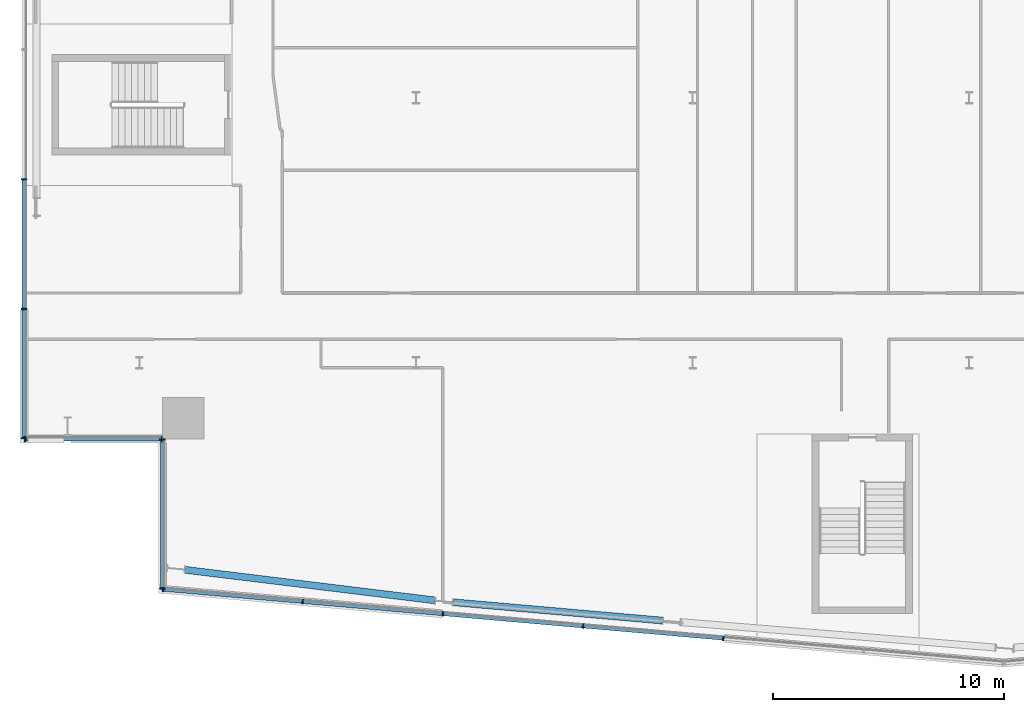
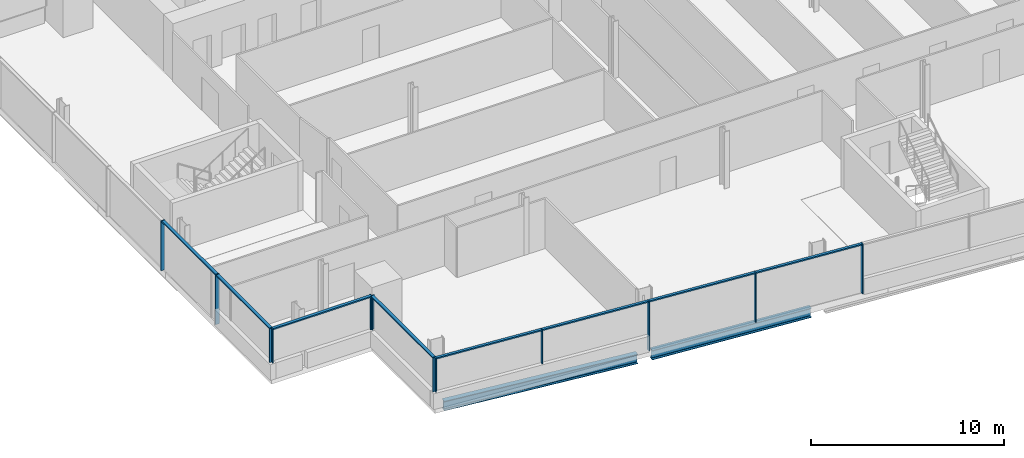
# One storey, part 5 of 25: 20 members, 2 beams, 4 elements without a shape of their own.
"""IFC4 building model written with IfcOpenShell, lengths in metres."""

from ifc_helpers import new_model, si_unit, direction, frame, origin, origin_2d, place, context, subcontext, project, spatial, rectangle, i_section, extrude, material, material_profile, profile_set, type_object, element, aggregate, save


model = new_model("IFC4")

# Units and contexts
model_context = context("Model", 3, precision=1e-05, world=origin(), true_north=direction((0.0, 1.0)))
body_context = subcontext(model_context, "Body", "Model", "MODEL_VIEW")
ifc_project = project(units=[si_unit("LENGTHUNIT", "METRE"), si_unit("AREAUNIT", "SQUARE_METRE"), si_unit("VOLUMEUNIT", "CUBIC_METRE"), si_unit("PLANEANGLEUNIT", "RADIAN"), si_unit("MASSUNIT", "GRAM", prefix="KILO")], contexts=[model_context])

# Site, building, storey
site_placement = place(None, origin())
site = spatial("IfcSite", under=ifc_project, at=site_placement, CompositionType="ELEMENT")
building_placement = place(site_placement, origin())
building = spatial("IfcBuilding", under=site, at=building_placement, Name="Wharfspan Tower", CompositionType="ELEMENT")
storey_placement = place(building_placement, frame((0.0, 0.0, 143.5)))
storey = spatial("IfcBuildingStorey", under=building, at=storey_placement, Name="L34", CompositionType="ELEMENT", Elevation=143.5)

# Beams
ifc_material_1 = material(Name="Steel S355J2", Category="steel")
ifc_material_profile_1 = material_profile(ifc_material_1, i_section(OverallWidth=0.300049, OverallDepth=0.600098, WebThickness=0.015381, FlangeThickness=0.030029, FilletRadius=0.0271, at=origin_2d()))
ifc_profile_set_1 = profile_set([ifc_material_profile_1], Name="Steel S355J2")
beam_type = type_object("IfcBeamType", Name="Edge beam HEB 600", PredefinedType="SPANDREL", material=ifc_profile_set_1)
beam_1_placement = place(storey_placement, frame((13.990967, 2.520508, -0.699951), z_axis=(0.992611, -0.121342, 0.0), x_axis=(0.121342, 0.992611, 0.0)))
element("IfcBeam", 1, at=beam_1_placement, inside=storey, type_object=beam_type, Name="Edge beam S1 L34 PS1.1 to PS1.2", PredefinedType="SPANDREL", context=body_context, shape_type="SweptSolid", body=[
    extrude(i_section(OverallWidth=0.300049, OverallDepth=0.600098, WebThickness=0.015381, FlangeThickness=0.030029, FilletRadius=0.0271, at=origin_2d()), origin(), (0.0, 0.0, 1.0), 10.903076),
])
beam_2_placement = place(storey_placement, frame((25.615234, 1.113525, -0.699951), z_axis=(0.996195, -0.087151, 0.0), x_axis=(0.087151, 0.996195, 0.0)))
element("IfcBeam", 2, at=beam_2_placement, inside=storey, type_object=beam_type, Name="Edge beam S1 L34 PS1.2 to PS1.3", PredefinedType="SPANDREL", context=body_context, shape_type="SweptSolid", body=[
    extrude(i_section(OverallWidth=0.300049, OverallDepth=0.600098, WebThickness=0.015381, FlangeThickness=0.030029, FilletRadius=0.0271, at=origin_2d()), origin(), (0.0, 0.0, 1.0), 9.107178),
])

# Curtain wall, members
ifc_material_2 = material(Name="Aluminium 6063-T6", Category="aluminium")
curtain_wall_type_1 = type_object("IfcCurtainWallType", Name="CURTAIN WALL FACETED FRONT", PredefinedType="NOTDEFINED", material=ifc_material_2)
curtain_wall_1_placement = place(storey_placement, origin())
curtain_wall_1 = element("IfcCurtainWall", 3, at=curtain_wall_1_placement, inside=storey, type_object=curtain_wall_type_1, Name="Curtain wall S1", PredefinedType="NOTDEFINED")
ifc_material_profile_2 = material_profile(ifc_material_2, rectangle(XDim=0.199951, YDim=0.060059, at=origin_2d()))
ifc_profile_set_2 = profile_set([ifc_material_profile_2], Name="Aluminium 6063-T6")
member_type_1 = type_object("IfcMemberType", Name="MULLION FACETED FRONT 60x200", PredefinedType="MULLION", material=ifc_profile_set_2)
member_1_placement = place(storey_placement, frame((13.029785, 1.672363, 1.0), z_axis=(0.0, 0.0, 1.0), x_axis=(0.087156, 0.996198, 0.0)))
member_1 = element("IfcMember", 4, at=member_1_placement, type_object=member_type_1, Name="Curtain wall S1 mullion 1", PredefinedType="MULLION", context=body_context, shape_type="SweptSolid", body=[
    extrude(rectangle(XDim=0.199951, YDim=0.060059, at=origin_2d()), origin(), (0.0, 0.0, 1.0), 2.149902),
])
member_2_placement = place(storey_placement, frame((19.083252, 1.142822, 1.0), z_axis=(0.0, 0.0, 1.0), x_axis=(0.087156, 0.996198, 0.0)))
member_2 = element("IfcMember", 5, at=member_2_placement, type_object=member_type_1, Name="Curtain wall S1 mullion 2", PredefinedType="MULLION", context=body_context, shape_type="SweptSolid", body=[
    extrude(rectangle(XDim=0.199951, YDim=0.060059, at=origin_2d()), origin(), (0.0, 0.0, 1.0), 2.149902),
])
member_3_placement = place(storey_placement, frame((25.166748, 0.610596, 0.0), z_axis=(0.0, 0.0, 1.0), x_axis=(0.087156, 0.996198, 0.0)))
member_3 = element("IfcMember", 6, at=member_3_placement, type_object=member_type_1, Name="Curtain wall S1 mullion 3", PredefinedType="MULLION", context=body_context, shape_type="SweptSolid", body=[
    extrude(rectangle(XDim=0.199951, YDim=0.060059, at=origin_2d()), origin(), (0.0, 0.0, 1.0), 3.149902),
])
member_4_placement = place(storey_placement, frame((31.25, 0.078369, 0.0), z_axis=(0.0, 0.0, 1.0), x_axis=(0.087156, 0.996198, 0.0)))
member_4 = element("IfcMember", 7, at=member_4_placement, type_object=member_type_1, Name="Curtain wall S1 mullion 4", PredefinedType="MULLION", context=body_context, shape_type="SweptSolid", body=[
    extrude(rectangle(XDim=0.199951, YDim=0.060059, at=origin_2d()), origin(), (0.0, 0.0, 1.0), 3.149902),
])
member_5_placement = place(storey_placement, frame((37.333252, -0.453857, 0.0), z_axis=(0.0, 0.0, 1.0), x_axis=(0.087156, 0.996198, 0.0)))
member_5 = element("IfcMember", 8, at=member_5_placement, type_object=member_type_1, Name="Curtain wall S1 mullion 5", PredefinedType="MULLION", context=body_context, shape_type="SweptSolid", body=[
    extrude(rectangle(XDim=0.199951, YDim=0.060059, at=origin_2d()), origin(), (0.0, 0.0, 1.0), 3.149902),
])

curtain_wall_type_2 = type_object("IfcCurtainWallType", Name="CURTAIN WALL PROW AND END", PredefinedType="NOTDEFINED", material=ifc_material_2)
curtain_wall_2_placement = place(storey_placement, origin())
curtain_wall_2 = element("IfcCurtainWall", 9, at=curtain_wall_2_placement, inside=storey, type_object=curtain_wall_type_2, Name="Curtain wall W", PredefinedType="NOTDEFINED")
ifc_material_profile_3 = material_profile(ifc_material_2, rectangle(XDim=0.23999, YDim=0.060059, at=origin_2d()))
ifc_profile_set_3 = profile_set([ifc_material_profile_3], Name="Aluminium 6063-T6")
member_type_2 = type_object("IfcMemberType", Name="MULLION PROW AND END 60x240", PredefinedType="MULLION", material=ifc_profile_set_3)
member_6_placement = place(storey_placement, frame((7.0, 19.466553, 0.0), z_axis=(0.0, 0.0, 1.0), x_axis=(1.0, 0.0, 0.0)))
member_6 = element("IfcMember", 10, at=member_6_placement, type_object=member_type_2, Name="Curtain wall W mullion 5", PredefinedType="MULLION", context=body_context, shape_type="SweptSolid", body=[
    extrude(rectangle(XDim=0.23999, YDim=0.060059, at=origin_2d()), origin(), (0.0, 0.0, 1.0), 3.149902),
])
member_7_placement = place(storey_placement, frame((7.0, 13.833252, 0.0), z_axis=(0.0, 0.0, 1.0), x_axis=(1.0, 0.0, 0.0)))
member_7 = element("IfcMember", 11, at=member_7_placement, type_object=member_type_2, Name="Curtain wall W mullion 6", PredefinedType="MULLION", context=body_context, shape_type="SweptSolid", body=[
    extrude(rectangle(XDim=0.23999, YDim=0.060059, at=origin_2d()), origin(), (0.0, 0.0, 1.0), 3.149902),
])
member_8_placement = place(storey_placement, frame((7.0, 8.22998, 1.0), z_axis=(0.0, 0.0, 1.0), x_axis=(1.0, 0.0, 0.0)))
member_8 = element("IfcMember", 12, at=member_8_placement, type_object=member_type_2, Name="Curtain wall W mullion 7", PredefinedType="MULLION", context=body_context, shape_type="SweptSolid", body=[
    extrude(rectangle(XDim=0.23999, YDim=0.060059, at=origin_2d()), origin(), (0.0, 0.0, 1.0), 2.149902),
])

curtain_wall_3_placement = place(storey_placement, origin())
curtain_wall_3 = element("IfcCurtainWall", 13, at=curtain_wall_3_placement, inside=storey, type_object=curtain_wall_type_2, Name="Curtain wall NFW-H", PredefinedType="NOTDEFINED")
member_9_placement = place(storey_placement, frame((7.030029, 8.199951, 1.0), z_axis=(0.0, 0.0, 1.0), x_axis=(0.0, 1.0, 0.0)))
member_9 = element("IfcMember", 14, at=member_9_placement, type_object=member_type_2, Name="Curtain wall NFW-H mullion 1", PredefinedType="MULLION", context=body_context, shape_type="SweptSolid", body=[
    extrude(rectangle(XDim=0.23999, YDim=0.060059, at=origin_2d()), origin(), (0.0, 0.0, 1.0), 2.149902),
])
member_10_placement = place(storey_placement, frame((12.969971, 8.199951, 1.0), z_axis=(0.0, 0.0, 1.0), x_axis=(0.0, 1.0, 0.0)))
member_10 = element("IfcMember", 15, at=member_10_placement, type_object=member_type_2, Name="Curtain wall NFW-H mullion 2", PredefinedType="MULLION", context=body_context, shape_type="SweptSolid", body=[
    extrude(rectangle(XDim=0.23999, YDim=0.060059, at=origin_2d()), origin(), (0.0, 0.0, 1.0), 2.149902),
])

curtain_wall_4_placement = place(storey_placement, origin())
curtain_wall_4 = element("IfcCurtainWall", 16, at=curtain_wall_4_placement, inside=storey, type_object=curtain_wall_type_2, Name="Curtain wall NFW-V", PredefinedType="NOTDEFINED")
member_11_placement = place(storey_placement, frame((13.0, 8.169922, 1.0), z_axis=(0.0, 0.0, 1.0), x_axis=(1.0, 0.0, 0.0)))
member_11 = element("IfcMember", 17, at=member_11_placement, type_object=member_type_2, Name="Curtain wall NFW-V mullion 1", PredefinedType="MULLION", context=body_context, shape_type="SweptSolid", body=[
    extrude(rectangle(XDim=0.23999, YDim=0.060059, at=origin_2d()), origin(), (0.0, 0.0, 1.0), 2.149902),
])
member_12_placement = place(storey_placement, frame((13.0, 1.705078, 1.0), z_axis=(0.0, 0.0, 1.0), x_axis=(1.0, 0.0, 0.0)))
member_12 = element("IfcMember", 18, at=member_12_placement, type_object=member_type_2, Name="Curtain wall NFW-V mullion 2", PredefinedType="MULLION", context=body_context, shape_type="SweptSolid", body=[
    extrude(rectangle(XDim=0.23999, YDim=0.060059, at=origin_2d()), origin(), (0.0, 0.0, 1.0), 2.149902),
])

# Member
ifc_material_profile_4 = material_profile(ifc_material_2, rectangle(XDim=0.159912, YDim=0.080078, at=origin_2d()))
ifc_profile_set_4 = profile_set([ifc_material_profile_4], Name="Aluminium 6063-T6")
member_type_3 = type_object("IfcMemberType", Name="TRANSOM FACETED FRONT 80x160", PredefinedType="USERDEFINED", material=ifc_profile_set_4)
member_13_placement = place(storey_placement, frame((13.059814, 1.669922, 3.110107), z_axis=(0.996194, -0.087162, 0.0), x_axis=(0.087162, 0.996194, 0.0)))
member_13 = element("IfcMember", 19, at=member_13_placement, type_object=member_type_3, Name="Curtain wall S1 transom 1", ObjectType="TRANSOM", PredefinedType="USERDEFINED", context=body_context, shape_type="SweptSolid", body=[
    extrude(rectangle(XDim=0.159912, YDim=0.080078, at=origin_2d()), origin(), (0.0, 0.0, 1.0), 6.016602),
])

member_14_placement = place(storey_placement, frame((19.113281, 1.140137, 3.110107), z_axis=(0.996197, -0.087135, 0.0), x_axis=(0.087135, 0.996197, 0.0)))
member_14 = element("IfcMember", 20, at=member_14_placement, type_object=member_type_3, Name="Curtain wall S1 transom 2", ObjectType="TRANSOM", PredefinedType="USERDEFINED", context=body_context, shape_type="SweptSolid", body=[
    extrude(rectangle(XDim=0.159912, YDim=0.080078, at=origin_2d()), origin(), (0.0, 0.0, 1.0), 6.046387),
])

member_15_placement = place(storey_placement, frame((25.196533, 0.60791, 3.110107), z_axis=(0.996197, -0.087131, 0.0), x_axis=(0.087131, 0.996197, 0.0)))
member_15 = element("IfcMember", 21, at=member_15_placement, type_object=member_type_3, Name="Curtain wall S1 transom 3", ObjectType="TRANSOM", PredefinedType="USERDEFINED", context=body_context, shape_type="SweptSolid", body=[
    extrude(rectangle(XDim=0.159912, YDim=0.080078, at=origin_2d()), origin(), (0.0, 0.0, 1.0), 6.046631),
])

member_16_placement = place(storey_placement, frame((31.279785, 0.075684, 3.110107), z_axis=(0.996197, -0.087131, 0.0), x_axis=(0.087131, 0.996197, 0.0)))
member_16 = element("IfcMember", 22, at=member_16_placement, type_object=member_type_3, Name="Curtain wall S1 transom 4", ObjectType="TRANSOM", PredefinedType="USERDEFINED", context=body_context, shape_type="SweptSolid", body=[
    extrude(rectangle(XDim=0.159912, YDim=0.080078, at=origin_2d()), origin(), (0.0, 0.0, 1.0), 6.046631),
])

aggregate(curtain_wall_1, [member_1, member_2, member_3, member_4, member_5, member_13, member_14, member_15, member_16])

ifc_material_profile_5 = material_profile(ifc_material_2, rectangle(XDim=0.179932, YDim=0.080078, at=origin_2d()))
ifc_profile_set_5 = profile_set([ifc_material_profile_5], Name="Aluminium 6063-T6")
member_type_4 = type_object("IfcMemberType", Name="TRANSOM PROW AND END 80x180", PredefinedType="USERDEFINED", material=ifc_profile_set_5)
member_17_placement = place(storey_placement, frame((7.0, 19.436768, 3.110107), z_axis=(0.0, -1.0, 0.0), x_axis=(1.0, 0.0, 0.0)))
member_17 = element("IfcMember", 23, at=member_17_placement, type_object=member_type_4, Name="Curtain wall W transom 5", ObjectType="TRANSOM", PredefinedType="USERDEFINED", context=body_context, shape_type="SweptSolid", body=[
    extrude(rectangle(XDim=0.179932, YDim=0.080078, at=origin_2d()), origin(), (0.0, 0.0, 1.0), 5.573486),
])

member_18_placement = place(storey_placement, frame((7.0, 13.803223, 3.110107), z_axis=(0.0, -1.0, 0.0), x_axis=(1.0, 0.0, 0.0)))
member_18 = element("IfcMember", 24, at=member_18_placement, type_object=member_type_4, Name="Curtain wall W transom 6", ObjectType="TRANSOM", PredefinedType="USERDEFINED", context=body_context, shape_type="SweptSolid", body=[
    extrude(rectangle(XDim=0.179932, YDim=0.080078, at=origin_2d()), origin(), (0.0, 0.0, 1.0), 5.543213),
])

aggregate(curtain_wall_2, [member_6, member_7, member_8, member_17, member_18])

member_19_placement = place(storey_placement, frame((7.060059, 8.199951, 3.110107), z_axis=(1.0, 0.0, 0.0), x_axis=(0.0, 1.0, 0.0)))
member_19 = element("IfcMember", 25, at=member_19_placement, type_object=member_type_4, Name="Curtain wall NFW-H transom 1", ObjectType="TRANSOM", PredefinedType="USERDEFINED", context=body_context, shape_type="SweptSolid", body=[
    extrude(rectangle(XDim=0.179932, YDim=0.080078, at=origin_2d()), origin(), (0.0, 0.0, 1.0), 5.879883),
])

aggregate(curtain_wall_3, [member_9, member_10, member_19])

member_20_placement = place(storey_placement, frame((13.0, 8.139893, 3.110107), z_axis=(0.0, -1.0, 0.0), x_axis=(1.0, 0.0, 0.0)))
member_20 = element("IfcMember", 26, at=member_20_placement, type_object=member_type_4, Name="Curtain wall NFW-V transom 1", ObjectType="TRANSOM", PredefinedType="USERDEFINED", context=body_context, shape_type="SweptSolid", body=[
    extrude(rectangle(XDim=0.179932, YDim=0.080078, at=origin_2d()), origin(), (0.0, 0.0, 1.0), 6.404785),
])

aggregate(curtain_wall_4, [member_11, member_12, member_20])

save(model, "model.ifc")
